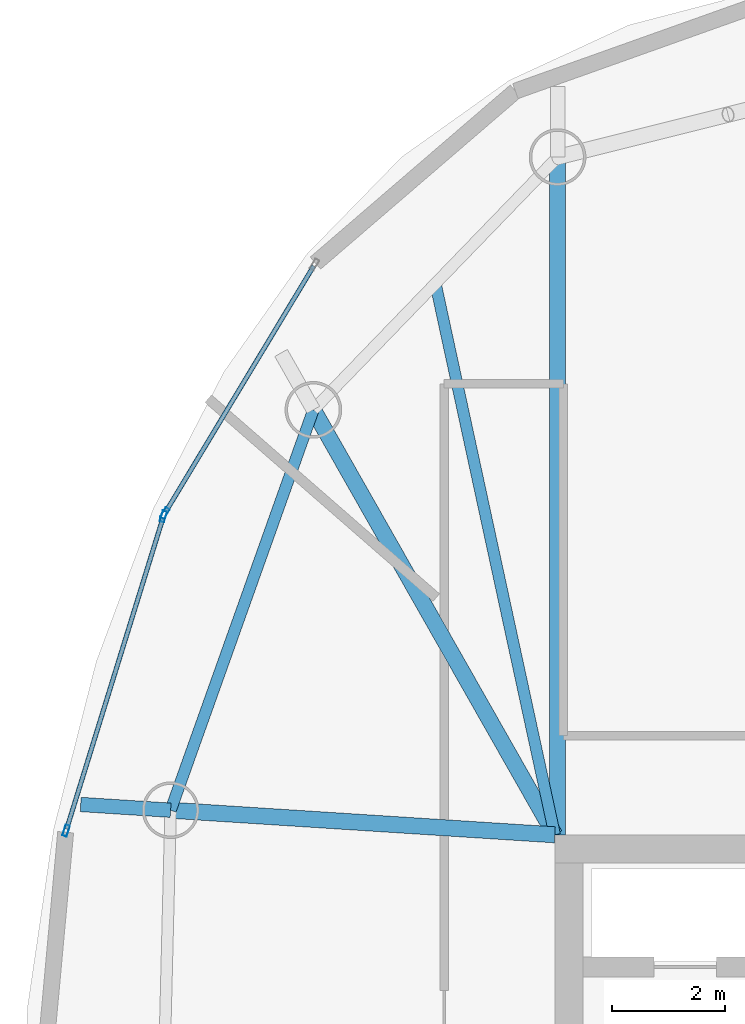
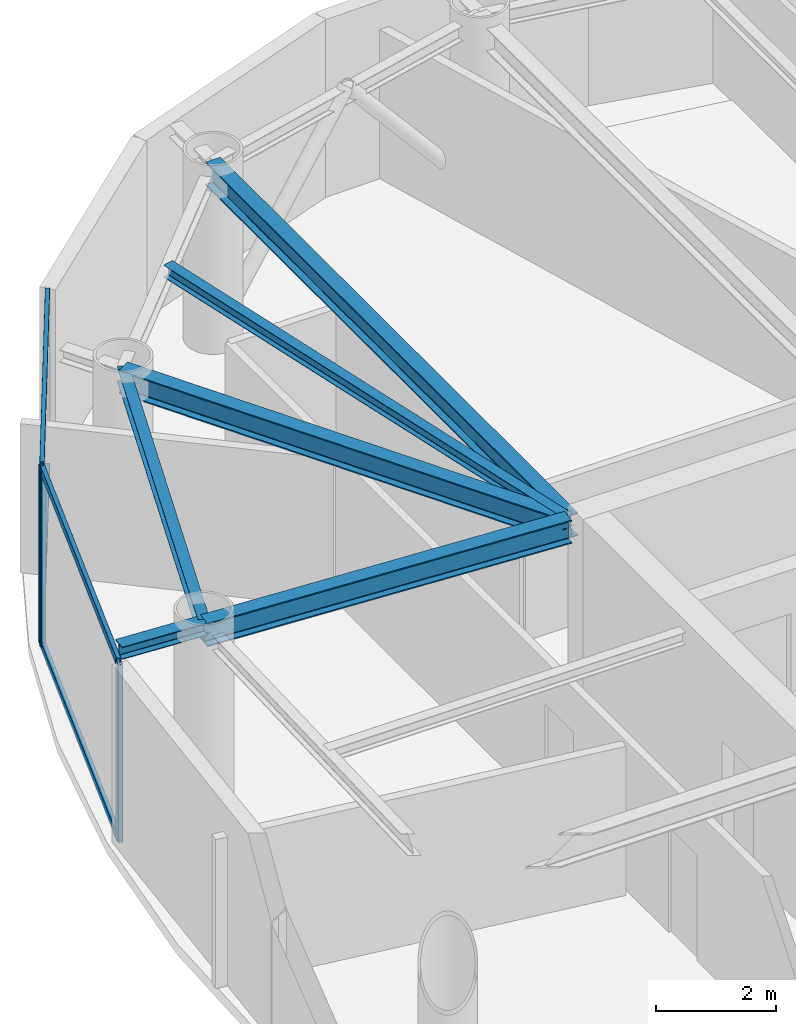
# One storey, part 8 of 19: 7 members, 6 beams, 2 elements without a shape of their own.
"""IFC4 building model written with IfcOpenShell, lengths in metres."""

from ifc_helpers import new_model, si_unit, direction, frame, origin, origin_2d, place, context, subcontext, project, spatial, hollow_rectangle, i_section, extrude, material, layer, layer_set, material_profile, profile_set, type_object, element, aggregate, save


model = new_model("IFC4")

# Units and contexts
model_context = context("Model", 3, precision=1e-05, world=origin(), true_north=direction((0.0, 1.0)))
body_context = subcontext(model_context, "Body", "Model", "MODEL_VIEW")
ifc_project = project(units=[si_unit("LENGTHUNIT", "METRE"), si_unit("AREAUNIT", "SQUARE_METRE"), si_unit("VOLUMEUNIT", "CUBIC_METRE"), si_unit("PLANEANGLEUNIT", "RADIAN"), si_unit("MASSUNIT", "GRAM", prefix="KILO")], contexts=[model_context])

# Site, building, storey
site_placement = place(None, origin())
site = spatial("IfcSite", under=ifc_project, at=site_placement, CompositionType="ELEMENT")
building_placement = place(site_placement, origin())
building = spatial("IfcBuilding", under=site, at=building_placement, Name="Bramvorn Convention Spire", CompositionType="ELEMENT")
storey_placement = place(building_placement, frame((0.0, 0.0, 272.85009765625)))
storey = spatial("IfcBuildingStorey", under=building, at=storey_placement, Name="L69", CompositionType="ELEMENT", Elevation=272.85009765625)

# Beams
ifc_material_1 = material(Name="Steel CSA G40.21 Grade 350 (350W)", Category="steel")
ifc_material_profile_1 = material_profile(ifc_material_1, i_section(OverallWidth=0.201904296875, OverallDepth=0.2470703125, WebThickness=0.00732421875, FlangeThickness=0.010986328125, FilletRadius=0.011962890625, at=origin_2d()))
ifc_profile_set_1 = profile_set([ifc_material_profile_1], Name="Steel CSA G40.21 Grade 350 (350W) - W250X49")
beam_type_1 = type_object("IfcBeamType", Name="BM-W250X49", PredefinedType="JOIST", material=ifc_profile_set_1)
beam_1_placement = place(storey_placement, frame((26.75, 33.449951171875, 3.50146484375), z_axis=(-0.211461445939, 0.977386339623, 0.0), x_axis=(-0.977386339623, -0.211461445939, 0.0)))
element("IfcBeam", 1, at=beam_1_placement, inside=storey, type_object=beam_type_1, Name="L69 composite floor joist 09", PredefinedType="JOIST", context=body_context, shape_type="SweptSolid", body=[
    extrude(i_section(OverallWidth=0.201904296875, OverallDepth=0.2470703125, WebThickness=0.00732421875, FlangeThickness=0.010986328125, FilletRadius=0.011962890625, at=origin_2d()), origin(), (0.0, 0.0, 1.0), 9.9462890625),
])
ifc_material_profile_2 = material_profile(ifc_material_1, i_section(OverallWidth=0.25390625, OverallDepth=0.2529296875, WebThickness=0.008544921875, FlangeThickness=0.01416015625, FilletRadius=0.011962890625, at=origin_2d()))
ifc_profile_set_2 = profile_set([ifc_material_profile_2], Name="Steel CSA G40.21 Grade 350 (350W) - W250X73")
beam_type_2 = type_object("IfcBeamType", Name="BM-W250X73", PredefinedType="BEAM", material=ifc_profile_set_2)
beam_2_placement = place(storey_placement, frame((19.976318359375, 33.883544921875, 3.498291015625), z_axis=(-0.997955762545, 0.063908497109, 0.0), x_axis=(-0.063908497109, -0.997955762545, 0.0)))
element("IfcBeam", 2, at=beam_2_placement, inside=storey, type_object=beam_type_2, Name="L69 slab-edge cantilever tip beam MC11", PredefinedType="BEAM", context=body_context, shape_type="SweptSolid", body=[
    extrude(i_section(OverallWidth=0.25390625, OverallDepth=0.2529296875, WebThickness=0.008544921875, FlangeThickness=0.01416015625, FilletRadius=0.011962890625, at=origin_2d()), origin(), (0.0, 0.0, 1.0), 1.589111328125),
])
ifc_material_profile_3 = material_profile(ifc_material_1, i_section(OverallWidth=0.202880859375, OverallDepth=0.302978515625, WebThickness=0.007568359375, FlangeThickness=0.01318359375, FilletRadius=0.013916015625, at=origin_2d()))
ifc_profile_set_3 = profile_set([ifc_material_profile_3], Name="Steel CSA G40.21 Grade 350 (350W) - W310X60")
beam_type_3 = type_object("IfcBeamType", Name="BM-W310X60", PredefinedType="JOIST", material=ifc_profile_set_3)
beam_3_placement = place(storey_placement, frame((22.49365234375, 40.94384765625, 3.473388671875), z_axis=(-0.335839090413, -0.941919373063, 0.0), x_axis=(0.941919373063, -0.335839090413, 0.0)))
element("IfcBeam", 3, at=beam_3_placement, inside=storey, type_object=beam_type_3, Name="L69 mega-column ring beam 10", PredefinedType="JOIST", context=body_context, shape_type="SweptSolid", body=[
    extrude(i_section(OverallWidth=0.202880859375, OverallDepth=0.302978515625, WebThickness=0.007568359375, FlangeThickness=0.01318359375, FilletRadius=0.013916015625, at=origin_2d()), origin(), (0.0, 0.0, 1.0), 7.49560546875),
])
ifc_material_profile_4 = material_profile(ifc_material_1, i_section(OverallWidth=0.283935546875, OverallDepth=0.47607421875, WebThickness=0.014892578125, FlangeThickness=0.02392578125, FilletRadius=0.01806640625, at=origin_2d()))
ifc_profile_set_4 = profile_set([ifc_material_profile_4], Name="Steel CSA G40.21 Grade 350 (350W) - W460X158")
beam_type_4 = type_object("IfcBeamType", Name="BM-W460X158", PredefinedType="SPANDREL", material=ifc_profile_set_4)
beam_4_placement = place(storey_placement, frame((26.800048828125, 33.449951171875, 3.386962890625), z_axis=(0.0, 1.0, 0.0), x_axis=(-1.0, 0.0, 0.0)))
element("IfcBeam", 4, at=beam_4_placement, inside=storey, type_object=beam_type_4, Name="L69 radial floor girder MC09", PredefinedType="SPANDREL", context=body_context, shape_type="SweptSolid", body=[
    extrude(i_section(OverallWidth=0.283935546875, OverallDepth=0.47607421875, WebThickness=0.014892578125, FlangeThickness=0.02392578125, FilletRadius=0.01806640625, at=origin_2d()), origin(), (0.0, 0.0, 1.0), 11.948974609375),
])
beam_5_placement = place(storey_placement, frame((26.75, 33.449951171875, 3.386962890625), z_axis=(-0.493873612118, 0.869533699895, 0.0), x_axis=(-0.869533699895, -0.493873612118, 0.0)))
element("IfcBeam", 5, at=beam_5_placement, inside=storey, type_object=beam_type_4, Name="L69 radial floor girder MC10", PredefinedType="SPANDREL", context=body_context, shape_type="SweptSolid", body=[
    extrude(i_section(OverallWidth=0.283935546875, OverallDepth=0.47607421875, WebThickness=0.014892578125, FlangeThickness=0.02392578125, FilletRadius=0.01806640625, at=origin_2d()), origin(), (0.0, 0.0, 1.0), 8.618408203125),
])
beam_6_placement = place(storey_placement, frame((26.75, 33.449951171875, 3.386962890625), z_axis=(-0.997957536354, 0.063880792379, 0.0), x_axis=(-0.063880792379, -0.997957536354, 0.0)))
element("IfcBeam", 6, at=beam_6_placement, inside=storey, type_object=beam_type_4, Name="L69 radial floor girder MC11", PredefinedType="SPANDREL", context=body_context, shape_type="SweptSolid", body=[
    extrude(i_section(OverallWidth=0.283935546875, OverallDepth=0.47607421875, WebThickness=0.014892578125, FlangeThickness=0.02392578125, FilletRadius=0.01806640625, at=origin_2d()), origin(), (0.0, 0.0, 1.0), 6.78759765625),
])

# Curtain wall, member
ifc_material_2 = material(Name="Anodised Bronze Unitised Curtain Wall", Category="aluminium")
ifc_layer = layer(ifc_material_2, 0.179931640625)
ifc_layer_set = layer_set([ifc_layer], Name="Anodised Bronze Unitised Curtain Wall - CW-OFF-FRIT")
curtain_wall_type = type_object("IfcCurtainWallType", Name="CW-OFF-FRIT", PredefinedType="USERDEFINED", material=ifc_layer_set)
curtain_wall_1_placement = place(storey_placement, origin())
curtain_wall_1 = element("IfcCurtainWall", 7, at=curtain_wall_1_placement, inside=storey, type_object=curtain_wall_type, Name="L69 fritted glass curtain wall 14", ObjectType="UNITISED CURTAIN WALL", PredefinedType="USERDEFINED")
ifc_material_3 = material(Name="Anodised Bronze Aluminium 6063-T6", Category="aluminium")
ifc_material_profile_5 = material_profile(ifc_material_3, hollow_rectangle(XDim=0.080078125, YDim=0.199951171875, WallThickness=0.00390625, InnerFilletRadius=0.0009765625, OuterFilletRadius=0.00390625, at=origin_2d()))
ifc_profile_set_5 = profile_set([ifc_material_profile_5], Name="Anodised Bronze Aluminium 6063-T6 - CWM80X200")
member_type_1 = type_object("IfcMemberType", Name="CW-MUL-180", PredefinedType="MULLION", material=ifc_profile_set_5)
member_1_placement = place(storey_placement, frame((19.874755859375, 39.118896484375, 0.0), z_axis=(0.0, 0.0, 1.0), x_axis=(-0.856771443327, 0.515696319455, 0.0)))
member_1 = element("IfcMember", 8, at=member_1_placement, type_object=member_type_1, Name="CW3 mullion 1", PredefinedType="MULLION", context=body_context, shape_type="SweptSolid", body=[
    extrude(hollow_rectangle(XDim=0.080078125, YDim=0.199951171875, WallThickness=0.00390625, InnerFilletRadius=0.0009765625, OuterFilletRadius=0.00390625, at=origin_2d()), origin(), (0.0, 0.0, 1.0), 3.625),
])

# Curtain wall, members
curtain_wall_2_placement = place(storey_placement, origin())
curtain_wall_2 = element("IfcCurtainWall", 9, at=curtain_wall_2_placement, inside=storey, type_object=curtain_wall_type, Name="L69 fritted glass curtain wall 15", ObjectType="UNITISED CURTAIN WALL", PredefinedType="USERDEFINED")
member_2_placement = place(storey_placement, frame((18.134521484375, 33.524169921875, 0.0), z_axis=(0.0, 0.0, 1.0), x_axis=(-0.955243531974, 0.295820544624, 0.0)))
member_2 = element("IfcMember", 10, at=member_2_placement, type_object=member_type_1, Name="CW3 mullion 1", PredefinedType="MULLION", context=body_context, shape_type="SweptSolid", body=[
    extrude(hollow_rectangle(XDim=0.080078125, YDim=0.199951171875, WallThickness=0.00390625, InnerFilletRadius=0.0009765625, OuterFilletRadius=0.00390625, at=origin_2d()), origin(), (0.0, 0.0, 1.0), 3.625),
])
member_3_placement = place(storey_placement, frame((19.850341796875, 39.064453125, 0.0), z_axis=(0.0, 0.0, 1.0), x_axis=(-0.955243531974, 0.295820544624, 0.0)))
member_3 = element("IfcMember", 11, at=member_3_placement, type_object=member_type_1, Name="CW3 mullion 2", PredefinedType="MULLION", context=body_context, shape_type="SweptSolid", body=[
    extrude(hollow_rectangle(XDim=0.080078125, YDim=0.199951171875, WallThickness=0.00390625, InnerFilletRadius=0.0009765625, OuterFilletRadius=0.00390625, at=origin_2d()), origin(), (0.0, 0.0, 1.0), 3.625),
])

# Member
ifc_material_profile_6 = material_profile(ifc_material_3, hollow_rectangle(XDim=0.080078125, YDim=0.159912109375, WallThickness=0.00390625, InnerFilletRadius=0.0009765625, OuterFilletRadius=0.00390625, at=origin_2d()))
ifc_profile_set_6 = profile_set([ifc_material_profile_6], Name="Anodised Bronze Aluminium 6063-T6 - CWT80X160")
member_type_2 = type_object("IfcMemberType", Name="CW-TRN-150", PredefinedType="USERDEFINED", material=ifc_profile_set_6)
member_4_placement = place(storey_placement, frame((19.89013671875, 39.14453125, 0.02978515625), z_axis=(0.515722943862, 0.856755417359, 0.0), x_axis=(-0.856755417359, 0.515722943862, 0.0)))
member_4 = element("IfcMember", 12, at=member_4_placement, type_object=member_type_2, Name="CW3 transom 1.1", ObjectType="TRANSOM", PredefinedType="USERDEFINED", context=body_context, shape_type="SweptSolid", body=[
    extrude(hollow_rectangle(XDim=0.080078125, YDim=0.159912109375, WallThickness=0.00390625, InnerFilletRadius=0.0009765625, OuterFilletRadius=0.00390625, at=origin_2d()), origin(), (0.0, 0.0, 1.0), 5.05908203125),
])

member_5_placement = place(storey_placement, frame((19.89013671875, 39.14453125, 3.594970703125), z_axis=(0.515722943862, 0.856755417359, 0.0), x_axis=(-0.856755417359, 0.515722943862, 0.0)))
member_5 = element("IfcMember", 13, at=member_5_placement, type_object=member_type_2, Name="CW3 transom 1.2", ObjectType="TRANSOM", PredefinedType="USERDEFINED", context=body_context, shape_type="SweptSolid", body=[
    extrude(hollow_rectangle(XDim=0.080078125, YDim=0.159912109375, WallThickness=0.00390625, InnerFilletRadius=0.0009765625, OuterFilletRadius=0.00390625, at=origin_2d()), origin(), (0.0, 0.0, 1.0), 5.05908203125),
])

aggregate(curtain_wall_1, [member_1, member_4, member_5])

member_6_placement = place(storey_placement, frame((18.1435546875, 33.552734375, 0.02978515625), z_axis=(0.295815878484, 0.955244976976, 0.0), x_axis=(-0.955244976976, 0.295815878484, 0.0)))
member_6 = element("IfcMember", 14, at=member_6_placement, type_object=member_type_2, Name="CW3 transom 1.1", ObjectType="TRANSOM", PredefinedType="USERDEFINED", context=body_context, shape_type="SweptSolid", body=[
    extrude(hollow_rectangle(XDim=0.080078125, YDim=0.159912109375, WallThickness=0.00390625, InnerFilletRadius=0.0009765625, OuterFilletRadius=0.00390625, at=origin_2d()), origin(), (0.0, 0.0, 1.0), 5.739990234375),
])

member_7_placement = place(storey_placement, frame((18.1435546875, 33.552734375, 3.594970703125), z_axis=(0.295815878484, 0.955244976976, 0.0), x_axis=(-0.955244976976, 0.295815878484, 0.0)))
member_7 = element("IfcMember", 15, at=member_7_placement, type_object=member_type_2, Name="CW3 transom 1.2", ObjectType="TRANSOM", PredefinedType="USERDEFINED", context=body_context, shape_type="SweptSolid", body=[
    extrude(hollow_rectangle(XDim=0.080078125, YDim=0.159912109375, WallThickness=0.00390625, InnerFilletRadius=0.0009765625, OuterFilletRadius=0.00390625, at=origin_2d()), origin(), (0.0, 0.0, 1.0), 5.739990234375),
])

aggregate(curtain_wall_2, [member_2, member_3, member_6, member_7])

save(model, "model.ifc")
